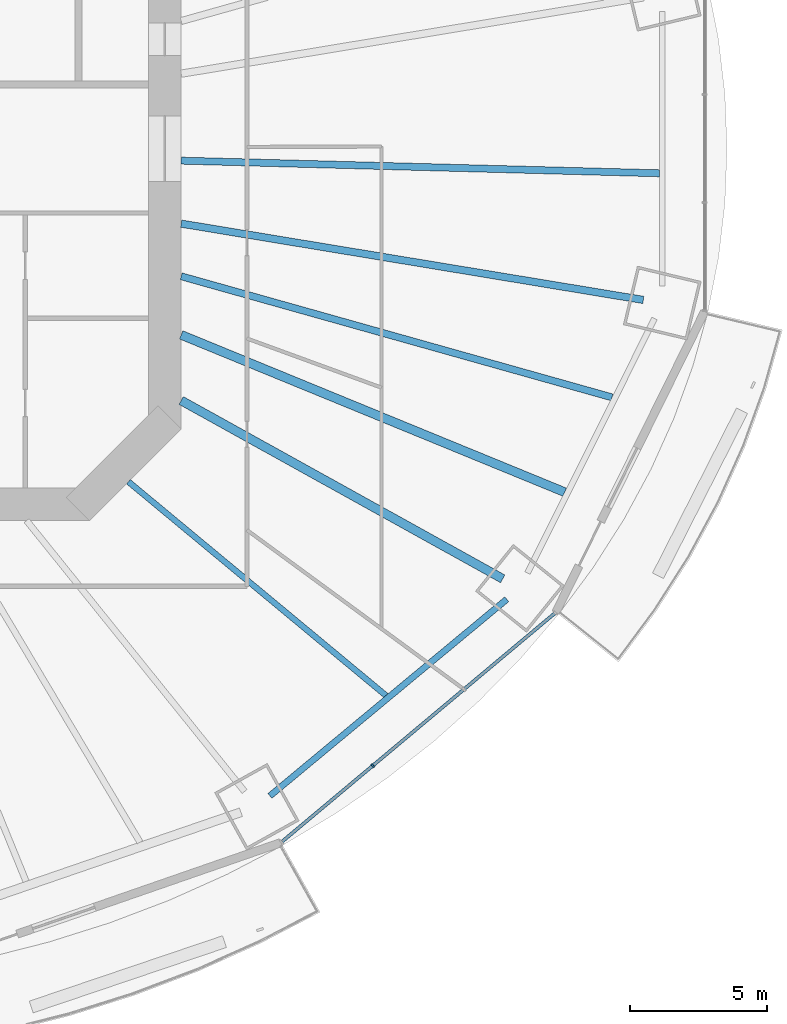
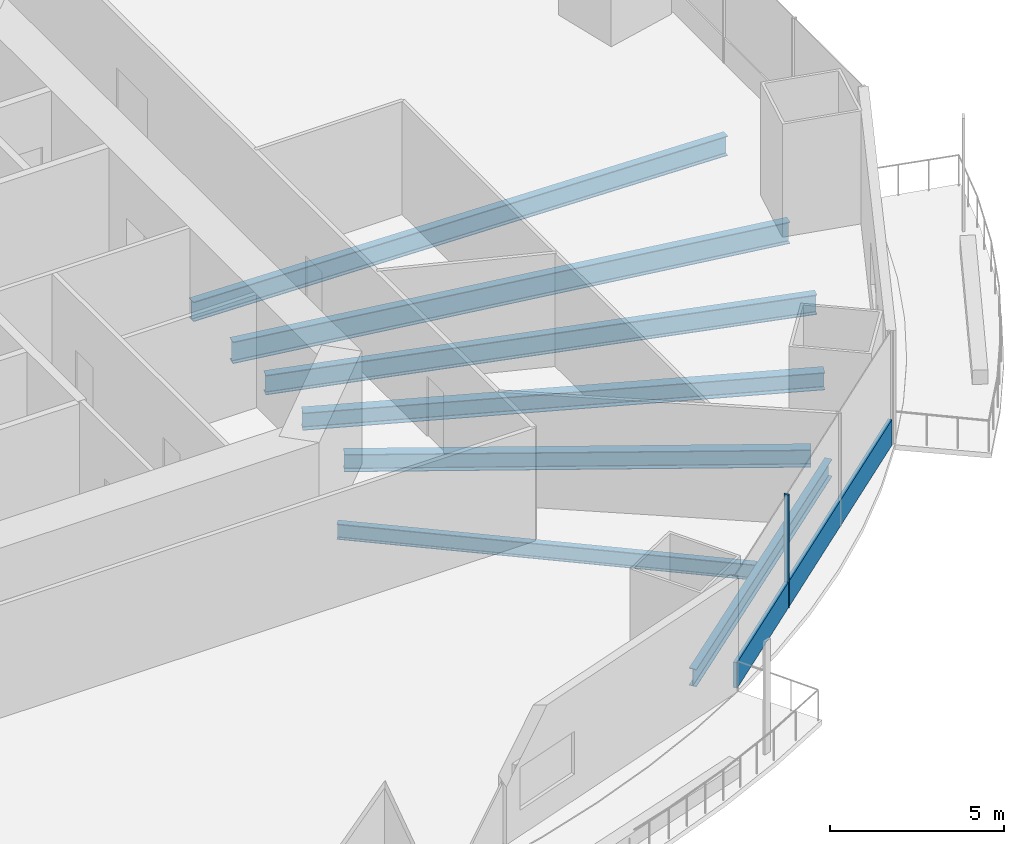
# One storey, part 5 of 23: 7 beams, 2 members, 1 element without a shape of its own.
"""IFC4 building model written with IfcOpenShell, lengths in metres."""

import ifcopenshell
import ifcopenshell.guid

model = None  # the IFC model being written
_history = None  # IfcOwnerHistory: only IFC2X3 demands one
_inside = {}  # id of a spatial element -> (the spatial element, [elements in it])
_under = {}  # id of a project, library or spatial element -> (it, [spatial elements below it])
_declared = {}  # id of a project -> (the project, [libraries it declares])
_typed = {}  # id of a type object -> (the type object, [elements of that type])
_made_of = {}  # id of a material, layer set ... -> (it, [elements and type objects made of it])


def new_model(schema):
    """Start an empty IFC model of exactly this schema.

    Asked for "IFC4X3", IfcOpenShell would pick the latest addendum, in which some entities
    have other attributes; the version numbers below select the first issue.
    IFC2X3 requires an IfcOwnerHistory on every rooted entity: one is made here for all.
    """
    global model, _history
    if schema == "IFC4X3":
        model = ifcopenshell.file(schema_version=(4, 3, 0, 0))
    else:
        model = ifcopenshell.file(schema=schema)
    _inside.clear()
    _under.clear()
    _declared.clear()
    _typed.clear()
    _made_of.clear()
    _history = None
    if model.schema == "IFC2X3":
        org = make("IfcOrganization", Name="unknown")
        user = make(
            "IfcPersonAndOrganization",
            ThePerson=make("IfcPerson", FamilyName="unknown"),
            TheOrganization=org,
        )
        app = make(
            "IfcApplication",
            ApplicationDeveloper=org,
            Version="unknown",
            ApplicationFullName="unknown",
            ApplicationIdentifier="unknown",
        )
        _history = make(
            "IfcOwnerHistory",
            OwningUser=user,
            OwningApplication=app,
            ChangeAction="ADDED",
            CreationDate=0,
        )
    return model


def make(cls, **values):
    """One entity of the class cls with the attributes given. An attribute that is None is left unset."""
    return model.create_entity(
        cls, **{name: value for name, value in values.items() if value is not None}
    )


def rooted(cls, **values):
    """An entity with a GlobalId (a new one), such as an element, a storey or a relation."""
    return make(cls, GlobalId=ifcopenshell.guid.new(), OwnerHistory=_history, **values)


def si_unit(unit_type, name, prefix=None):
    """IfcSIUnit, for example si_unit("LENGTHUNIT", "METRE", prefix="MILLI")."""
    return make("IfcSIUnit", UnitType=unit_type, Prefix=prefix, Name=name)


def assignment(units):
    """IfcUnitAssignment: the units of a project."""
    return None if units is None else make("IfcUnitAssignment", Units=units)


def point(xyz):
    """IfcCartesianPoint."""
    return None if xyz is None else make("IfcCartesianPoint", Coordinates=xyz)


def direction(xyz):
    """IfcDirection."""
    return None if xyz is None else make("IfcDirection", DirectionRatios=xyz)


def frame(location, z_axis=None, x_axis=None):
    """IfcAxis2Placement3D, a coordinate frame: its origin and axes. An axis left out is left unset."""
    return make(
        "IfcAxis2Placement3D",
        Location=point(location),
        Axis=direction(z_axis),
        RefDirection=direction(x_axis),
    )


def frame_2d(location, x_axis=None):
    """IfcAxis2Placement2D, a coordinate frame in the plane: its origin and x axis."""
    return make(
        "IfcAxis2Placement2D", Location=point(location), RefDirection=direction(x_axis)
    )


def origin():
    """The frame at (0, 0, 0) with its axes left unset."""
    return frame((0.0, 0.0, 0.0))


def origin_2d():
    """The frame at (0, 0) in the plane with its x axis left unset."""
    return frame_2d((0.0, 0.0))


def place(relative_to, where):
    """IfcLocalPlacement: puts the frame where relative to a parent placement (None: the world)."""
    return make(
        "IfcLocalPlacement", PlacementRelTo=relative_to, RelativePlacement=where
    )


def context(
    kind, dimensions, precision=None, world=None, true_north=None, identifier=None
):
    """IfcGeometricRepresentationContext, for example the 3D "Model" context."""
    return make(
        "IfcGeometricRepresentationContext",
        ContextIdentifier=identifier,
        ContextType=kind,
        CoordinateSpaceDimension=dimensions,
        Precision=precision,
        WorldCoordinateSystem=world,
        TrueNorth=true_north,
    )


def subcontext(parent, identifier, kind, view, scale=None):
    """IfcGeometricRepresentationSubContext, for example "Body" below "Model"."""
    return make(
        "IfcGeometricRepresentationSubContext",
        ContextIdentifier=identifier,
        ContextType=kind,
        ParentContext=parent,
        TargetScale=scale,
        TargetView=view,
    )


def project(units=None, contexts=None):
    """IfcProject with its units and contexts."""
    return rooted(
        "IfcProject",
        Name="project",
        RepresentationContexts=contexts,
        UnitsInContext=assignment(units),
    )


def spatial(cls, under=None, at=None, **own):
    """A site, building, storey or space (cls), placed at a placement, below another one or the project."""
    s = rooted(cls, ObjectPlacement=at, **own)
    if under is not None:
        _under.setdefault(under.id(), (under, []))[1].append(s)
    return s


def profile(cls, at=None, kind="AREA", **sizes):
    """A parametric profile (cls). Its sizes go by their IFC names, for example OverallWidth=200.0."""
    return make(cls, ProfileType=kind, Position=at, **sizes)


def rectangle(**sizes):
    """IfcRectangleProfileDef."""
    return profile("IfcRectangleProfileDef", **sizes)


def i_section(**sizes):
    """IfcIShapeProfileDef."""
    return profile("IfcIShapeProfileDef", **sizes)


def extrude(swept, where, along, depth):
    """IfcExtrudedAreaSolid: the profile swept, set in the frame where, extruded along a direction by depth."""
    return make(
        "IfcExtrudedAreaSolid",
        SweptArea=swept,
        Position=where,
        ExtrudedDirection=direction(along),
        Depth=depth,
    )


def shape(context_of_items, identifier, shape_type, items):
    """IfcShapeRepresentation: the items that make up one representation, for example the "Body"."""
    return make(
        "IfcShapeRepresentation",
        ContextOfItems=context_of_items,
        RepresentationIdentifier=identifier,
        RepresentationType=shape_type,
        Items=items,
    )


def material(Name=None, Category=None):
    """IfcMaterial."""
    return make("IfcMaterial", Name=Name, Category=Category)


def material_profile(
    of_material, cross_section, Name=None, Category=None, Priority=None
):
    """IfcMaterialProfile: a cross section and its material."""
    return make(
        "IfcMaterialProfile",
        Name=Name,
        Material=of_material,
        Profile=cross_section,
        Priority=Priority,
        Category=Category,
    )


def profile_set(profiles, Name=None, composite=None):
    """IfcMaterialProfileSet."""
    return make(
        "IfcMaterialProfileSet",
        Name=Name,
        MaterialProfiles=profiles,
        CompositeProfile=composite,
    )


def made_of(thing, what):
    """Note that an element or type object is made of a material, layer set ...; save() writes the relation."""
    if what is not None:
        _made_of.setdefault(what.id(), (what, []))[1].append(thing)
    return thing


def type_object(cls, material=None, **own):
    """A type object (cls), such as IfcWallType, which elements share."""
    return made_of(rooted(cls, **own), material)


def element(
    cls,
    number,
    at=None,
    inside=None,
    cuts=None,
    type_object=None,
    material=None,
    context=None,
    identifier="Body",
    shape_type=None,
    held_by="IfcProductDefinitionShape",
    body=None,
    shapes=None,
    **own,
):
    """One element of the class cls, such as IfcWall. Its Tag is "e" and its number.

    at: its placement. inside: the storey or other place that contains it. cuts: it is an
    opening in that element (IfcRelVoidsElement). A single representation is given by context,
    identifier, shape_type and body (its items); several are given by shapes. held_by: the class
    of the entity that holds the representations. save() writes the other relations.
    """
    e = rooted(cls, Tag="e%d" % number, ObjectPlacement=at, **own)
    if body is not None:
        shapes = [shape(context, identifier, shape_type, body)]
    if shapes is not None:
        e.Representation = make(held_by, Representations=shapes)
    if inside is not None:
        _inside.setdefault(inside.id(), (inside, []))[1].append(e)
    if cuts is not None:
        rooted(
            "IfcRelVoidsElement", RelatingBuildingElement=cuts, RelatedOpeningElement=e
        )
    if type_object is not None:
        _typed.setdefault(type_object.id(), (type_object, []))[1].append(e)
    return made_of(e, material)


def aggregate(whole, parts):
    """IfcRelAggregates: a whole, such as a stair, and the parts it consists of."""
    return rooted("IfcRelAggregates", RelatingObject=whole, RelatedObjects=parts)


def save(model, path):
    """Write the relations noted so far, then the file.

    IfcRelAggregates (storeys below a building ...), IfcRelContainedInSpatialStructure (elements
    in a storey), IfcRelDefinesByType, IfcRelAssociatesMaterial and IfcRelDeclares: one each for
    every whole, place, type object, material and project.
    """
    for whole, parts in _under.values():
        aggregate(whole, parts)
    for where, things in _inside.values():
        rooted(
            "IfcRelContainedInSpatialStructure",
            RelatedElements=things,
            RelatingStructure=where,
        )
    for kind, things in _typed.values():
        rooted("IfcRelDefinesByType", RelatedObjects=things, RelatingType=kind)
    for what, things in _made_of.values():
        rooted("IfcRelAssociatesMaterial", RelatedObjects=things, RelatingMaterial=what)
    for by, libraries in _declared.values():
        rooted("IfcRelDeclares", RelatingContext=by, RelatedDefinitions=libraries)
    model.write(path)


model = new_model("IFC4")

# Units and contexts
model_context = context("Model", 3, precision=1e-05, world=origin(), true_north=direction((0.0, 1.0)))
body_context = subcontext(model_context, "Body", "Model", "MODEL_VIEW")
ifc_project = project(units=[si_unit("LENGTHUNIT", "METRE"), si_unit("AREAUNIT", "SQUARE_METRE"), si_unit("VOLUMEUNIT", "CUBIC_METRE"), si_unit("PLANEANGLEUNIT", "RADIAN"), si_unit("MASSUNIT", "GRAM", prefix="KILO")], contexts=[model_context])

# Site, building, storey
site_placement = place(None, origin())
site = spatial("IfcSite", under=ifc_project, at=site_placement, CompositionType="ELEMENT")
building_placement = place(site_placement, origin())
building = spatial("IfcBuilding", under=site, at=building_placement, Name="Marenthal Gate Tower", CompositionType="ELEMENT")
storey_placement = place(building_placement, frame((0.0, 0.0, 45.449951171875)))
storey = spatial("IfcBuildingStorey", under=building, at=storey_placement, Name="L07", CompositionType="ELEMENT", Elevation=45.449951171875)

# Curtain wall, members
ifc_material_1 = material(Name="Aluminium and glass", Category="aluminium")
curtain_wall_type = type_object("IfcCurtainWallType", Name="Curtain wall typical low", PredefinedType="NOTDEFINED", material=ifc_material_1)
curtain_wall_placement = place(storey_placement, origin())
curtain_wall = element("IfcCurtainWall", 1, at=curtain_wall_placement, inside=storey, type_object=curtain_wall_type, Name="Curtain wall L07 bay 14", PredefinedType="NOTDEFINED")
ifc_material_2 = material(Name="Aluminium", Category="aluminium")
ifc_material_profile_1 = material_profile(ifc_material_2, rectangle(XDim=0.159912109375, YDim=0.06005859375, at=origin_2d()), Name="60x160 aluminium mullion")
ifc_profile_set_1 = profile_set([ifc_material_profile_1], Name="Aluminium")
member_type_1 = type_object("IfcMemberType", Name="Mullion 60x160 typical low", PredefinedType="MULLION", material=ifc_profile_set_1)
member_1_placement = place(storey_placement, frame((23.6025390625, -22.5595703125, 0.0), z_axis=(0.0, 0.0, 1.0), x_axis=(-0.642047277641, 0.766665046336, 0.0)))
member_1 = element("IfcMember", 2, at=member_1_placement, type_object=member_type_1, Name="Mullion L07 bay 14.2", PredefinedType="MULLION", context=body_context, shape_type="SweptSolid", body=[
    extrude(rectangle(XDim=0.159912109375, YDim=0.06005859375, at=origin_2d()), origin(), (0.0, 0.0, 1.0), 3.969970703125),
])
ifc_material_3 = material(Name="Aluminium", Category="aluminium")
ifc_material_profile_2 = material_profile(ifc_material_3, rectangle(XDim=0.1201171875, YDim=0.89990234375, at=origin_2d()), Name="120x900 aluminium transom")
ifc_profile_set_2 = profile_set([ifc_material_profile_2], Name="Aluminium")
member_type_2 = type_object("IfcMemberType", Name="Transom 120x900 typical low", PredefinedType="USERDEFINED", material=ifc_profile_set_2)
member_2_placement = place(storey_placement, frame((20.289794921875, -25.333740234375, 0.449951171875), z_axis=(0.766672707648, 0.6420381292, 0.0), x_axis=(-0.6420381292, 0.766672707648, 0.0)))
member_2 = element("IfcMember", 3, at=member_2_placement, type_object=member_type_2, Name="Transom L07 bay 14", ObjectType="TRANSOM", PredefinedType="USERDEFINED", context=body_context, shape_type="SweptSolid", body=[
    extrude(rectangle(XDim=0.1201171875, YDim=0.89990234375, at=origin_2d()), origin(), (0.0, 0.0, 1.0), 12.9931640625),
])
aggregate(curtain_wall, [member_1, member_2])

# Beams
ifc_material_4 = material(Name="Steel S355", Category="steel")
ifc_material_profile_3 = material_profile(ifc_material_4, i_section(OverallWidth=0.2119140625, OverallDepth=0.5439453125, WebThickness=0.01318359375, FlangeThickness=0.021240234375, FilletRadius=0.0126953125, at=origin_2d()), Name="W530X123")
ifc_profile_set_3 = profile_set([ifc_material_profile_3], Name="Steel S355")
beam_type_1 = type_object("IfcBeamType", Name="W530X123 beam", PredefinedType="BEAM", material=ifc_profile_set_3)
beam_1_placement = place(storey_placement, frame((24.085205078125, -19.99267578125, -0.451904296875), z_axis=(-0.769446518411, 0.638711245639, 0.0), x_axis=(-0.638711245639, -0.769446518411, 0.0)))
element("IfcBeam", 4, at=beam_1_placement, inside=storey, type_object=beam_type_1, Name="BM-L07-37", PredefinedType="BEAM", context=body_context, shape_type="SweptSolid", body=[
    extrude(i_section(OverallWidth=0.2119140625, OverallDepth=0.5439453125, WebThickness=0.01318359375, FlangeThickness=0.021240234375, FilletRadius=0.0126953125, at=origin_2d()), origin(), (0.0, 0.0, 1.0), 12.235595703125),
])
ifc_material_5 = material(Name="Steel S355", Category="steel")
ifc_material_profile_4 = material_profile(ifc_material_5, i_section(OverallWidth=0.22900390625, OverallDepth=0.612060546875, WebThickness=0.011962890625, FlangeThickness=0.01953125, FilletRadius=0.0126953125, at=origin_2d()), Name="W610X125")
ifc_profile_set_4 = profile_set([ifc_material_profile_4], Name="Steel S355")
beam_type_2 = type_object("IfcBeamType", Name="W610X125 beam", PredefinedType="BEAM", material=ifc_profile_set_4)
beam_2_placement = place(storey_placement, frame((19.8427734375, -23.6630859375, -0.48583984375), z_axis=(0.76943582663, 0.638724125658, 0.0), x_axis=(-0.638724125658, 0.76943582663, 0.0)))
element("IfcBeam", 5, at=beam_2_placement, inside=storey, type_object=beam_type_2, Name="BM-L07-54", PredefinedType="BEAM", context=body_context, shape_type="SweptSolid", body=[
    extrude(i_section(OverallWidth=0.22900390625, OverallDepth=0.612060546875, WebThickness=0.011962890625, FlangeThickness=0.01953125, FilletRadius=0.0126953125, at=origin_2d()), origin(), (0.0, 0.0, 1.0), 11.257080078125),
])
ifc_material_6 = material(Name="Steel S355", Category="steel")
ifc_material_profile_5 = material_profile(ifc_material_6, i_section(OverallWidth=0.324951171875, OverallDepth=0.612060546875, WebThickness=0.0126953125, FlangeThickness=0.01904296875, FilletRadius=0.0126953125, at=origin_2d()), Name="W610X155")
ifc_profile_set_5 = profile_set([ifc_material_profile_5], Name="Steel S355")
beam_type_3 = type_object("IfcBeamType", Name="W610X155 beam", PredefinedType="BEAM", material=ifc_profile_set_5)
beam_3_placement = place(storey_placement, frame((28.355712890625, -15.727294921875, -0.48583984375), z_axis=(-0.874492882968, 0.485038346565, 0.0), x_axis=(-0.485038346565, -0.874492882968, 0.0)))
element("IfcBeam", 6, at=beam_3_placement, inside=storey, type_object=beam_type_3, Name="BM-L07-15", PredefinedType="BEAM", context=body_context, shape_type="SweptSolid", body=[
    extrude(i_section(OverallWidth=0.324951171875, OverallDepth=0.612060546875, WebThickness=0.0126953125, FlangeThickness=0.01904296875, FilletRadius=0.0126953125, at=origin_2d()), origin(), (0.0, 0.0, 1.0), 13.44287109375),
])
beam_4_placement = place(storey_placement, frame((30.6201171875, -12.55810546875, -0.48583984375), z_axis=(-0.925210391668, 0.379454517894, 0.0), x_axis=(-0.379454517894, -0.925210391668, 0.0)))
element("IfcBeam", 7, at=beam_4_placement, inside=storey, type_object=beam_type_3, Name="BM-L07-38", PredefinedType="BEAM", context=body_context, shape_type="SweptSolid", body=[
    extrude(i_section(OverallWidth=0.324951171875, OverallDepth=0.612060546875, WebThickness=0.0126953125, FlangeThickness=0.01904296875, FilletRadius=0.0126953125, at=origin_2d()), origin(), (0.0, 0.0, 1.0), 15.1533203125),
])
ifc_material_7 = material(Name="Steel S355", Category="steel")
ifc_material_profile_6 = material_profile(ifc_material_7, i_section(OverallWidth=0.257080078125, OverallDepth=0.693115234375, WebThickness=0.014404296875, FlangeThickness=0.023681640625, FilletRadius=0.015380859375, at=origin_2d()), Name="W690X170")
ifc_profile_set_6 = profile_set([ifc_material_profile_6], Name="Steel S355")
beam_type_4 = type_object("IfcBeamType", Name="W690X170 beam", PredefinedType="BEAM", material=ifc_profile_set_6)
beam_5_placement = place(storey_placement, frame((32.349365234375, -9.092529296875, -0.5263671875), z_axis=(-0.962694320478, 0.27059128833, 0.0), x_axis=(-0.27059128833, -0.962694320478, 0.0)))
element("IfcBeam", 8, at=beam_5_placement, inside=storey, type_object=beam_type_4, Name="BM-L07-39", PredefinedType="BEAM", context=body_context, shape_type="SweptSolid", body=[
    extrude(i_section(OverallWidth=0.257080078125, OverallDepth=0.693115234375, WebThickness=0.014404296875, FlangeThickness=0.023681640625, FilletRadius=0.015380859375, at=origin_2d()), origin(), (0.0, 0.0, 1.0), 16.359619140625),
])
beam_6_placement = place(storey_placement, frame((34.082275390625, -0.900390625, -0.5263671875), z_axis=(-0.999651121674, 0.026412779787, 0.0), x_axis=(-0.026412779787, -0.999651121674, 0.0)))
element("IfcBeam", 9, at=beam_6_placement, inside=storey, type_object=beam_type_4, Name="BM-L07-40", PredefinedType="BEAM", context=body_context, shape_type="SweptSolid", body=[
    extrude(i_section(OverallWidth=0.257080078125, OverallDepth=0.693115234375, WebThickness=0.014404296875, FlangeThickness=0.023681640625, FilletRadius=0.015380859375, at=origin_2d()), origin(), (0.0, 0.0, 1.0), 17.48828125),
])
ifc_material_8 = material(Name="Steel S355", Category="steel")
ifc_material_profile_7 = material_profile(ifc_material_8, i_section(OverallWidth=0.26708984375, OverallDepth=0.761962890625, WebThickness=0.014404296875, FlangeThickness=0.021484375, FilletRadius=0.0166015625, at=origin_2d()), Name="W760X173")
ifc_profile_set_7 = profile_set([ifc_material_profile_7], Name="Steel S355")
beam_type_5 = type_object("IfcBeamType", Name="W760X173 beam", PredefinedType="BEAM", material=ifc_profile_set_7)
beam_7_placement = place(storey_placement, frame((33.494384765625, -5.530517578125, -0.56103515625), z_axis=(-0.986640584699, 0.162912113192, 0.0), x_axis=(-0.162912113192, -0.986640584699, 0.0)))
element("IfcBeam", 10, at=beam_7_placement, inside=storey, type_object=beam_type_5, Name="BM-L07-16", PredefinedType="BEAM", context=body_context, shape_type="SweptSolid", body=[
    extrude(i_section(OverallWidth=0.26708984375, OverallDepth=0.761962890625, WebThickness=0.014404296875, FlangeThickness=0.021484375, FilletRadius=0.0166015625, at=origin_2d()), origin(), (0.0, 0.0, 1.0), 17.123046875),
])

save(model, "model.ifc")
